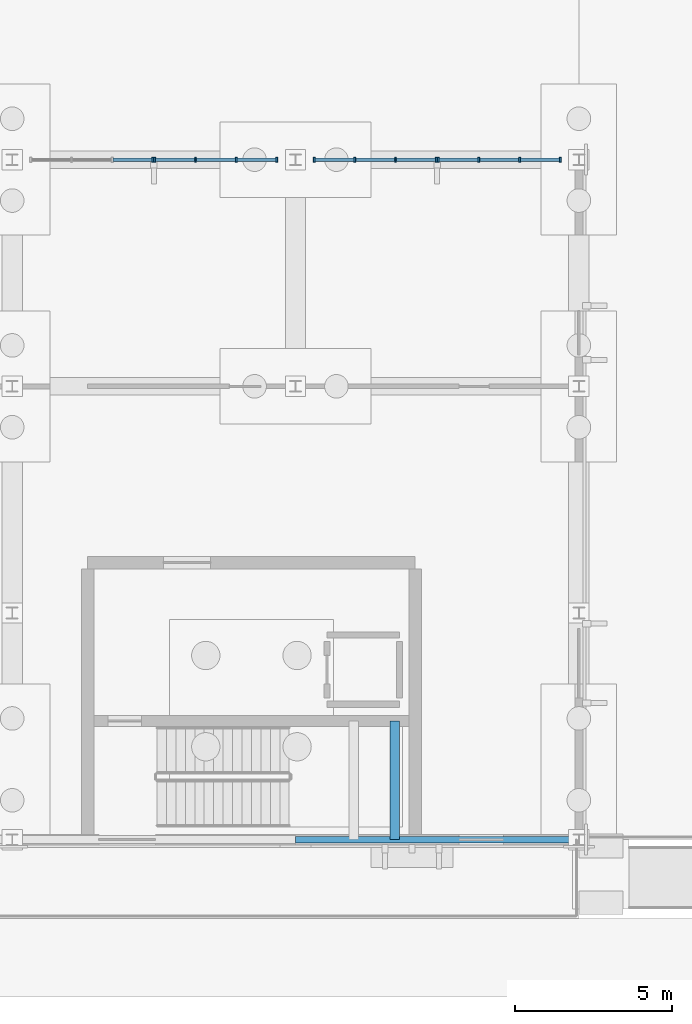
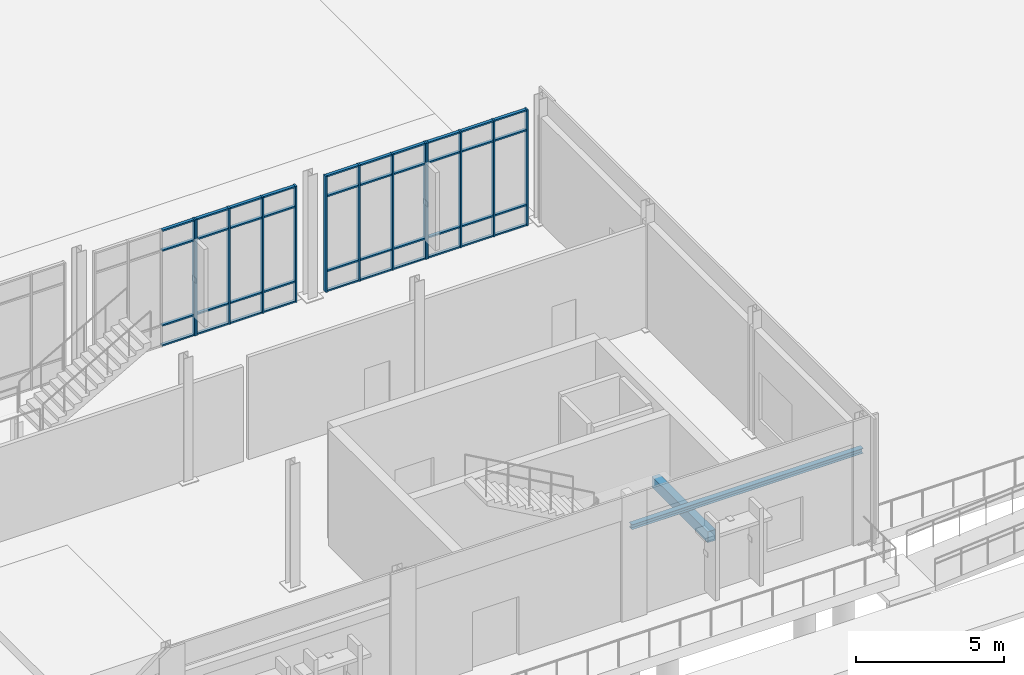
# One storey, part 40 of 94: 53 members, 2 beams, 4 elements without a shape of their own.
"""IFC4 building model written with IfcOpenShell, lengths in metres."""

from ifc_helpers import new_model, si_unit, direction, frame, origin, origin_2d, place, context, subcontext, project, spatial, rectangle, i_section, extrude, material, material_profile, profile_set, type_object, element, aggregate, save


model = new_model("IFC4")

# Units and contexts
model_context = context("Model", 3, precision=1e-05, world=origin(), true_north=direction((0.0, 1.0)))
body_context = subcontext(model_context, "Body", "Model", "MODEL_VIEW")
ifc_project = project(units=[si_unit("LENGTHUNIT", "METRE"), si_unit("AREAUNIT", "SQUARE_METRE"), si_unit("VOLUMEUNIT", "CUBIC_METRE"), si_unit("PLANEANGLEUNIT", "RADIAN"), si_unit("MASSUNIT", "GRAM", prefix="KILO")], contexts=[model_context])

# Site, building, storey
site_placement = place(None, origin())
site = spatial("IfcSite", under=ifc_project, at=site_placement, CompositionType="ELEMENT")
building_placement = place(site_placement, origin())
building = spatial("IfcBuilding", under=site, at=building_placement, Name="Vervanel Yard Central Library", CompositionType="ELEMENT")
storey_placement = place(building_placement, origin())
storey = spatial("IfcBuildingStorey", under=building, at=storey_placement, Name="L00", CompositionType="ELEMENT", Elevation=0.0)

# Curtain wall, member
ifc_material_1 = material(Name="Thermally broken anodized aluminium 6063-T6", Category="aluminium")
curtain_wall_type = type_object("IfcCurtainWallType", Name="Children's Courtyard Curtain Wall", PredefinedType="NOTDEFINED", material=ifc_material_1)
curtain_wall_1_placement = place(storey_placement, origin())
curtain_wall_1 = element("IfcCurtainWall", 1, at=curtain_wall_1_placement, inside=storey, type_object=curtain_wall_type, Name="L00 Children's Courtyard Curtain Wall CWR-L00-162", PredefinedType="NOTDEFINED")
ifc_material_profile_1 = material_profile(ifc_material_1, rectangle(XDim=0.06005859375, YDim=0.159912109375, at=origin_2d()), Name="ALU 60x160", Category="aluminium")
ifc_profile_set_1 = profile_set([ifc_material_profile_1], Name="Thermally broken anodized aluminium 6063-T6")
member_type_1 = type_object("IfcMemberType", Name="Bridge & Courtyard Mullion 60x160", PredefinedType="MULLION", material=ifc_profile_set_1)
member_1_placement = place(storey_placement, frame((94.469970703125, 21.60009765625, 0.0), z_axis=(0.0, 0.0, 1.0), x_axis=(1.0, 0.0, 0.0)))
member_1 = element("IfcMember", 2, at=member_1_placement, type_object=member_type_1, Name="CWR-L00-162 Mullion 4", PredefinedType="MULLION", context=body_context, shape_type="SweptSolid", body=[
    extrude(rectangle(XDim=0.06005859375, YDim=0.159912109375, at=origin_2d()), origin(), (0.0, 0.0, 1.0), 4.780029296875),
])

# Curtain wall, members
curtain_wall_2_placement = place(storey_placement, origin())
curtain_wall_2 = element("IfcCurtainWall", 3, at=curtain_wall_2_placement, inside=storey, type_object=curtain_wall_type, Name="L00 Children's Courtyard Curtain Wall CWR-L00-163", PredefinedType="NOTDEFINED")
member_2_placement = place(storey_placement, frame((94.530029296875, 21.60009765625, 0.0), z_axis=(0.0, 0.0, 1.0), x_axis=(1.0, 0.0, 0.0)))
member_2 = element("IfcMember", 4, at=member_2_placement, type_object=member_type_1, Name="CWR-L00-163 Mullion 1", PredefinedType="MULLION", context=body_context, shape_type="SweptSolid", body=[
    extrude(rectangle(XDim=0.06005859375, YDim=0.159912109375, at=origin_2d()), origin(), (0.0, 0.0, 1.0), 4.780029296875),
])
member_3_placement = place(storey_placement, frame((95.8232421875, 21.60009765625, 0.0), z_axis=(0.0, 0.0, 1.0), x_axis=(1.0, 0.0, 0.0)))
member_3 = element("IfcMember", 5, at=member_3_placement, type_object=member_type_1, Name="CWR-L00-163 Mullion 2", PredefinedType="MULLION", context=body_context, shape_type="SweptSolid", body=[
    extrude(rectangle(XDim=0.06005859375, YDim=0.159912109375, at=origin_2d()), origin(), (0.0, 0.0, 1.0), 4.780029296875),
])
member_4_placement = place(storey_placement, frame((97.11669921875, 21.60009765625, 0.0), z_axis=(0.0, 0.0, 1.0), x_axis=(1.0, 0.0, 0.0)))
member_4 = element("IfcMember", 6, at=member_4_placement, type_object=member_type_1, Name="CWR-L00-163 Mullion 3", PredefinedType="MULLION", context=body_context, shape_type="SweptSolid", body=[
    extrude(rectangle(XDim=0.06005859375, YDim=0.159912109375, at=origin_2d()), origin(), (0.0, 0.0, 1.0), 4.780029296875),
])
member_5_placement = place(storey_placement, frame((98.409912109375, 21.60009765625, 0.0), z_axis=(0.0, 0.0, 1.0), x_axis=(1.0, 0.0, 0.0)))
member_5 = element("IfcMember", 7, at=member_5_placement, type_object=member_type_1, Name="CWR-L00-163 Mullion 4", PredefinedType="MULLION", context=body_context, shape_type="SweptSolid", body=[
    extrude(rectangle(XDim=0.06005859375, YDim=0.159912109375, at=origin_2d()), origin(), (0.0, 0.0, 1.0), 4.780029296875),
])

curtain_wall_3_placement = place(storey_placement, origin())
curtain_wall_3 = element("IfcCurtainWall", 8, at=curtain_wall_3_placement, inside=storey, type_object=curtain_wall_type, Name="L00 Children's Courtyard Curtain Wall CWR-L00-164", PredefinedType="NOTDEFINED")
member_6_placement = place(storey_placement, frame((99.590087890625, 21.60009765625, 0.0), z_axis=(0.0, 0.0, 1.0), x_axis=(1.0, 0.0, 0.0)))
member_6 = element("IfcMember", 9, at=member_6_placement, type_object=member_type_1, Name="CWR-L00-164 Mullion 1", PredefinedType="MULLION", context=body_context, shape_type="SweptSolid", body=[
    extrude(rectangle(XDim=0.06005859375, YDim=0.159912109375, at=origin_2d()), origin(), (0.0, 0.0, 1.0), 4.780029296875),
])
member_7_placement = place(storey_placement, frame((100.88330078125, 21.60009765625, 0.0), z_axis=(0.0, 0.0, 1.0), x_axis=(1.0, 0.0, 0.0)))
member_7 = element("IfcMember", 10, at=member_7_placement, type_object=member_type_1, Name="CWR-L00-164 Mullion 2", PredefinedType="MULLION", context=body_context, shape_type="SweptSolid", body=[
    extrude(rectangle(XDim=0.06005859375, YDim=0.159912109375, at=origin_2d()), origin(), (0.0, 0.0, 1.0), 4.780029296875),
])
member_8_placement = place(storey_placement, frame((102.1767578125, 21.60009765625, 0.0), z_axis=(0.0, 0.0, 1.0), x_axis=(1.0, 0.0, 0.0)))
member_8 = element("IfcMember", 11, at=member_8_placement, type_object=member_type_1, Name="CWR-L00-164 Mullion 3", PredefinedType="MULLION", context=body_context, shape_type="SweptSolid", body=[
    extrude(rectangle(XDim=0.06005859375, YDim=0.159912109375, at=origin_2d()), origin(), (0.0, 0.0, 1.0), 4.780029296875),
])
member_9_placement = place(storey_placement, frame((103.469970703125, 21.60009765625, 0.0), z_axis=(0.0, 0.0, 1.0), x_axis=(1.0, 0.0, 0.0)))
member_9 = element("IfcMember", 12, at=member_9_placement, type_object=member_type_1, Name="CWR-L00-164 Mullion 4", PredefinedType="MULLION", context=body_context, shape_type="SweptSolid", body=[
    extrude(rectangle(XDim=0.06005859375, YDim=0.159912109375, at=origin_2d()), origin(), (0.0, 0.0, 1.0), 4.780029296875),
])

curtain_wall_4_placement = place(storey_placement, origin())
curtain_wall_4 = element("IfcCurtainWall", 13, at=curtain_wall_4_placement, inside=storey, type_object=curtain_wall_type, Name="L00 Children's Courtyard Curtain Wall CWR-L00-165", PredefinedType="NOTDEFINED")
member_10_placement = place(storey_placement, frame((103.530029296875, 21.60009765625, 0.0), z_axis=(0.0, 0.0, 1.0), x_axis=(1.0, 0.0, 0.0)))
member_10 = element("IfcMember", 14, at=member_10_placement, type_object=member_type_1, Name="CWR-L00-165 Mullion 1", PredefinedType="MULLION", context=body_context, shape_type="SweptSolid", body=[
    extrude(rectangle(XDim=0.06005859375, YDim=0.159912109375, at=origin_2d()), origin(), (0.0, 0.0, 1.0), 4.780029296875),
])
member_11_placement = place(storey_placement, frame((104.8232421875, 21.60009765625, 0.0), z_axis=(0.0, 0.0, 1.0), x_axis=(1.0, 0.0, 0.0)))
member_11 = element("IfcMember", 15, at=member_11_placement, type_object=member_type_1, Name="CWR-L00-165 Mullion 2", PredefinedType="MULLION", context=body_context, shape_type="SweptSolid", body=[
    extrude(rectangle(XDim=0.06005859375, YDim=0.159912109375, at=origin_2d()), origin(), (0.0, 0.0, 1.0), 4.780029296875),
])
member_12_placement = place(storey_placement, frame((106.11669921875, 21.60009765625, 0.0), z_axis=(0.0, 0.0, 1.0), x_axis=(1.0, 0.0, 0.0)))
member_12 = element("IfcMember", 16, at=member_12_placement, type_object=member_type_1, Name="CWR-L00-165 Mullion 3", PredefinedType="MULLION", context=body_context, shape_type="SweptSolid", body=[
    extrude(rectangle(XDim=0.06005859375, YDim=0.159912109375, at=origin_2d()), origin(), (0.0, 0.0, 1.0), 4.780029296875),
])
member_13_placement = place(storey_placement, frame((107.409912109375, 21.60009765625, 0.0), z_axis=(0.0, 0.0, 1.0), x_axis=(1.0, 0.0, 0.0)))
member_13 = element("IfcMember", 17, at=member_13_placement, type_object=member_type_1, Name="CWR-L00-165 Mullion 4", PredefinedType="MULLION", context=body_context, shape_type="SweptSolid", body=[
    extrude(rectangle(XDim=0.06005859375, YDim=0.159912109375, at=origin_2d()), origin(), (0.0, 0.0, 1.0), 4.780029296875),
])

# Member
ifc_material_profile_2 = material_profile(ifc_material_1, rectangle(XDim=0.06005859375, YDim=0.1201171875, at=origin_2d()), Name="ALU 60x120", Category="aluminium")
ifc_profile_set_2 = profile_set([ifc_material_profile_2], Name="Thermally broken anodized aluminium 6063-T6")
member_type_2 = type_object("IfcMemberType", Name="Bridge & Courtyard Transom 60x120", PredefinedType="NOTDEFINED", material=ifc_profile_set_2)
member_14_placement = place(storey_placement, frame((93.206787109375, 21.60009765625, 0.030029296875), z_axis=(1.0, 0.0, 0.0), x_axis=(0.0, 0.0, 1.0)))
member_14 = element("IfcMember", 18, at=member_14_placement, type_object=member_type_2, Name="CWR-L00-162 Transom B3-T1", ObjectType="TRANSOM", PredefinedType="USERDEFINED", context=body_context, shape_type="SweptSolid", body=[
    extrude(rectangle(XDim=0.06005859375, YDim=0.1201171875, at=origin_2d()), origin(), (0.0, 0.0, 1.0), 1.233154296875),
])

member_15_placement = place(storey_placement, frame((93.206787109375, 21.60009765625, 0.85009765625), z_axis=(1.0, 0.0, 0.0), x_axis=(0.0, 0.0, 1.0)))
member_15 = element("IfcMember", 19, at=member_15_placement, type_object=member_type_2, Name="CWR-L00-162 Transom B3-T2", ObjectType="TRANSOM", PredefinedType="USERDEFINED", context=body_context, shape_type="SweptSolid", body=[
    extrude(rectangle(XDim=0.06005859375, YDim=0.1201171875, at=origin_2d()), origin(), (0.0, 0.0, 1.0), 1.233154296875),
])

member_16_placement = place(storey_placement, frame((93.206787109375, 21.60009765625, 3.929931640625), z_axis=(1.0, 0.0, 0.0), x_axis=(0.0, 0.0, 1.0)))
member_16 = element("IfcMember", 20, at=member_16_placement, type_object=member_type_2, Name="CWR-L00-162 Transom B3-T3", ObjectType="TRANSOM", PredefinedType="USERDEFINED", context=body_context, shape_type="SweptSolid", body=[
    extrude(rectangle(XDim=0.06005859375, YDim=0.1201171875, at=origin_2d()), origin(), (0.0, 0.0, 1.0), 1.233154296875),
])

member_17_placement = place(storey_placement, frame((93.206787109375, 21.60009765625, 4.75), z_axis=(1.0, 0.0, 0.0), x_axis=(0.0, 0.0, 1.0)))
member_17 = element("IfcMember", 21, at=member_17_placement, type_object=member_type_2, Name="CWR-L00-162 Transom B3-T4", ObjectType="TRANSOM", PredefinedType="USERDEFINED", context=body_context, shape_type="SweptSolid", body=[
    extrude(rectangle(XDim=0.06005859375, YDim=0.1201171875, at=origin_2d()), origin(), (0.0, 0.0, 1.0), 1.233154296875),
])

aggregate(curtain_wall_1, [member_1, member_14, member_15, member_16, member_17])

member_18_placement = place(storey_placement, frame((94.56005859375, 21.60009765625, 0.030029296875), z_axis=(1.0, 0.0, 0.0), x_axis=(0.0, 0.0, 1.0)))
member_18 = element("IfcMember", 22, at=member_18_placement, type_object=member_type_2, Name="CWR-L00-163 Transom B1-T1", ObjectType="TRANSOM", PredefinedType="USERDEFINED", context=body_context, shape_type="SweptSolid", body=[
    extrude(rectangle(XDim=0.06005859375, YDim=0.1201171875, at=origin_2d()), origin(), (0.0, 0.0, 1.0), 1.233154296875),
])

member_19_placement = place(storey_placement, frame((94.56005859375, 21.60009765625, 0.85009765625), z_axis=(1.0, 0.0, 0.0), x_axis=(0.0, 0.0, 1.0)))
member_19 = element("IfcMember", 23, at=member_19_placement, type_object=member_type_2, Name="CWR-L00-163 Transom B1-T2", ObjectType="TRANSOM", PredefinedType="USERDEFINED", context=body_context, shape_type="SweptSolid", body=[
    extrude(rectangle(XDim=0.06005859375, YDim=0.1201171875, at=origin_2d()), origin(), (0.0, 0.0, 1.0), 1.233154296875),
])

member_20_placement = place(storey_placement, frame((94.56005859375, 21.60009765625, 3.929931640625), z_axis=(1.0, 0.0, 0.0), x_axis=(0.0, 0.0, 1.0)))
member_20 = element("IfcMember", 24, at=member_20_placement, type_object=member_type_2, Name="CWR-L00-163 Transom B1-T3", ObjectType="TRANSOM", PredefinedType="USERDEFINED", context=body_context, shape_type="SweptSolid", body=[
    extrude(rectangle(XDim=0.06005859375, YDim=0.1201171875, at=origin_2d()), origin(), (0.0, 0.0, 1.0), 1.233154296875),
])

member_21_placement = place(storey_placement, frame((94.56005859375, 21.60009765625, 4.75), z_axis=(1.0, 0.0, 0.0), x_axis=(0.0, 0.0, 1.0)))
member_21 = element("IfcMember", 25, at=member_21_placement, type_object=member_type_2, Name="CWR-L00-163 Transom B1-T4", ObjectType="TRANSOM", PredefinedType="USERDEFINED", context=body_context, shape_type="SweptSolid", body=[
    extrude(rectangle(XDim=0.06005859375, YDim=0.1201171875, at=origin_2d()), origin(), (0.0, 0.0, 1.0), 1.233154296875),
])

member_22_placement = place(storey_placement, frame((95.853271484375, 21.60009765625, 0.030029296875), z_axis=(1.0, 0.0, 0.0), x_axis=(0.0, 0.0, 1.0)))
member_22 = element("IfcMember", 26, at=member_22_placement, type_object=member_type_2, Name="CWR-L00-163 Transom B2-T1", ObjectType="TRANSOM", PredefinedType="USERDEFINED", context=body_context, shape_type="SweptSolid", body=[
    extrude(rectangle(XDim=0.06005859375, YDim=0.1201171875, at=origin_2d()), origin(), (0.0, 0.0, 1.0), 1.2333984375),
])

member_23_placement = place(storey_placement, frame((95.853271484375, 21.60009765625, 0.85009765625), z_axis=(1.0, 0.0, 0.0), x_axis=(0.0, 0.0, 1.0)))
member_23 = element("IfcMember", 27, at=member_23_placement, type_object=member_type_2, Name="CWR-L00-163 Transom B2-T2", ObjectType="TRANSOM", PredefinedType="USERDEFINED", context=body_context, shape_type="SweptSolid", body=[
    extrude(rectangle(XDim=0.06005859375, YDim=0.1201171875, at=origin_2d()), origin(), (0.0, 0.0, 1.0), 1.2333984375),
])

member_24_placement = place(storey_placement, frame((95.853271484375, 21.60009765625, 3.929931640625), z_axis=(1.0, 0.0, 0.0), x_axis=(0.0, 0.0, 1.0)))
member_24 = element("IfcMember", 28, at=member_24_placement, type_object=member_type_2, Name="CWR-L00-163 Transom B2-T3", ObjectType="TRANSOM", PredefinedType="USERDEFINED", context=body_context, shape_type="SweptSolid", body=[
    extrude(rectangle(XDim=0.06005859375, YDim=0.1201171875, at=origin_2d()), origin(), (0.0, 0.0, 1.0), 1.2333984375),
])

member_25_placement = place(storey_placement, frame((95.853271484375, 21.60009765625, 4.75), z_axis=(1.0, 0.0, 0.0), x_axis=(0.0, 0.0, 1.0)))
member_25 = element("IfcMember", 29, at=member_25_placement, type_object=member_type_2, Name="CWR-L00-163 Transom B2-T4", ObjectType="TRANSOM", PredefinedType="USERDEFINED", context=body_context, shape_type="SweptSolid", body=[
    extrude(rectangle(XDim=0.06005859375, YDim=0.1201171875, at=origin_2d()), origin(), (0.0, 0.0, 1.0), 1.2333984375),
])

member_26_placement = place(storey_placement, frame((97.146728515625, 21.60009765625, 0.030029296875), z_axis=(1.0, 0.0, 0.0), x_axis=(0.0, 0.0, 1.0)))
member_26 = element("IfcMember", 30, at=member_26_placement, type_object=member_type_2, Name="CWR-L00-163 Transom B3-T1", ObjectType="TRANSOM", PredefinedType="USERDEFINED", context=body_context, shape_type="SweptSolid", body=[
    extrude(rectangle(XDim=0.06005859375, YDim=0.1201171875, at=origin_2d()), origin(), (0.0, 0.0, 1.0), 1.233154296875),
])

member_27_placement = place(storey_placement, frame((97.146728515625, 21.60009765625, 0.85009765625), z_axis=(1.0, 0.0, 0.0), x_axis=(0.0, 0.0, 1.0)))
member_27 = element("IfcMember", 31, at=member_27_placement, type_object=member_type_2, Name="CWR-L00-163 Transom B3-T2", ObjectType="TRANSOM", PredefinedType="USERDEFINED", context=body_context, shape_type="SweptSolid", body=[
    extrude(rectangle(XDim=0.06005859375, YDim=0.1201171875, at=origin_2d()), origin(), (0.0, 0.0, 1.0), 1.233154296875),
])

member_28_placement = place(storey_placement, frame((97.146728515625, 21.60009765625, 3.929931640625), z_axis=(1.0, 0.0, 0.0), x_axis=(0.0, 0.0, 1.0)))
member_28 = element("IfcMember", 32, at=member_28_placement, type_object=member_type_2, Name="CWR-L00-163 Transom B3-T3", ObjectType="TRANSOM", PredefinedType="USERDEFINED", context=body_context, shape_type="SweptSolid", body=[
    extrude(rectangle(XDim=0.06005859375, YDim=0.1201171875, at=origin_2d()), origin(), (0.0, 0.0, 1.0), 1.233154296875),
])

member_29_placement = place(storey_placement, frame((97.146728515625, 21.60009765625, 4.75), z_axis=(1.0, 0.0, 0.0), x_axis=(0.0, 0.0, 1.0)))
member_29 = element("IfcMember", 33, at=member_29_placement, type_object=member_type_2, Name="CWR-L00-163 Transom B3-T4", ObjectType="TRANSOM", PredefinedType="USERDEFINED", context=body_context, shape_type="SweptSolid", body=[
    extrude(rectangle(XDim=0.06005859375, YDim=0.1201171875, at=origin_2d()), origin(), (0.0, 0.0, 1.0), 1.233154296875),
])

aggregate(curtain_wall_2, [member_2, member_3, member_4, member_5, member_18, member_19, member_20, member_21, member_22, member_23, member_24, member_25, member_26, member_27, member_28, member_29])

member_30_placement = place(storey_placement, frame((99.6201171875, 21.60009765625, 0.030029296875), z_axis=(1.0, 0.0, 0.0), x_axis=(0.0, 0.0, 1.0)))
member_30 = element("IfcMember", 34, at=member_30_placement, type_object=member_type_2, Name="CWR-L00-164 Transom B1-T1", ObjectType="TRANSOM", PredefinedType="USERDEFINED", context=body_context, shape_type="SweptSolid", body=[
    extrude(rectangle(XDim=0.06005859375, YDim=0.1201171875, at=origin_2d()), origin(), (0.0, 0.0, 1.0), 1.233154296875),
])

member_31_placement = place(storey_placement, frame((99.6201171875, 21.60009765625, 0.85009765625), z_axis=(1.0, 0.0, 0.0), x_axis=(0.0, 0.0, 1.0)))
member_31 = element("IfcMember", 35, at=member_31_placement, type_object=member_type_2, Name="CWR-L00-164 Transom B1-T2", ObjectType="TRANSOM", PredefinedType="USERDEFINED", context=body_context, shape_type="SweptSolid", body=[
    extrude(rectangle(XDim=0.06005859375, YDim=0.1201171875, at=origin_2d()), origin(), (0.0, 0.0, 1.0), 1.233154296875),
])

member_32_placement = place(storey_placement, frame((99.6201171875, 21.60009765625, 3.929931640625), z_axis=(1.0, 0.0, 0.0), x_axis=(0.0, 0.0, 1.0)))
member_32 = element("IfcMember", 36, at=member_32_placement, type_object=member_type_2, Name="CWR-L00-164 Transom B1-T3", ObjectType="TRANSOM", PredefinedType="USERDEFINED", context=body_context, shape_type="SweptSolid", body=[
    extrude(rectangle(XDim=0.06005859375, YDim=0.1201171875, at=origin_2d()), origin(), (0.0, 0.0, 1.0), 1.233154296875),
])

member_33_placement = place(storey_placement, frame((99.6201171875, 21.60009765625, 4.75), z_axis=(1.0, 0.0, 0.0), x_axis=(0.0, 0.0, 1.0)))
member_33 = element("IfcMember", 37, at=member_33_placement, type_object=member_type_2, Name="CWR-L00-164 Transom B1-T4", ObjectType="TRANSOM", PredefinedType="USERDEFINED", context=body_context, shape_type="SweptSolid", body=[
    extrude(rectangle(XDim=0.06005859375, YDim=0.1201171875, at=origin_2d()), origin(), (0.0, 0.0, 1.0), 1.233154296875),
])

member_34_placement = place(storey_placement, frame((100.913330078125, 21.60009765625, 0.030029296875), z_axis=(1.0, 0.0, 0.0), x_axis=(0.0, 0.0, 1.0)))
member_34 = element("IfcMember", 38, at=member_34_placement, type_object=member_type_2, Name="CWR-L00-164 Transom B2-T1", ObjectType="TRANSOM", PredefinedType="USERDEFINED", context=body_context, shape_type="SweptSolid", body=[
    extrude(rectangle(XDim=0.06005859375, YDim=0.1201171875, at=origin_2d()), origin(), (0.0, 0.0, 1.0), 1.2333984375),
])

member_35_placement = place(storey_placement, frame((100.913330078125, 21.60009765625, 0.85009765625), z_axis=(1.0, 0.0, 0.0), x_axis=(0.0, 0.0, 1.0)))
member_35 = element("IfcMember", 39, at=member_35_placement, type_object=member_type_2, Name="CWR-L00-164 Transom B2-T2", ObjectType="TRANSOM", PredefinedType="USERDEFINED", context=body_context, shape_type="SweptSolid", body=[
    extrude(rectangle(XDim=0.06005859375, YDim=0.1201171875, at=origin_2d()), origin(), (0.0, 0.0, 1.0), 1.2333984375),
])

member_36_placement = place(storey_placement, frame((100.913330078125, 21.60009765625, 3.929931640625), z_axis=(1.0, 0.0, 0.0), x_axis=(0.0, 0.0, 1.0)))
member_36 = element("IfcMember", 40, at=member_36_placement, type_object=member_type_2, Name="CWR-L00-164 Transom B2-T3", ObjectType="TRANSOM", PredefinedType="USERDEFINED", context=body_context, shape_type="SweptSolid", body=[
    extrude(rectangle(XDim=0.06005859375, YDim=0.1201171875, at=origin_2d()), origin(), (0.0, 0.0, 1.0), 1.2333984375),
])

member_37_placement = place(storey_placement, frame((100.913330078125, 21.60009765625, 4.75), z_axis=(1.0, 0.0, 0.0), x_axis=(0.0, 0.0, 1.0)))
member_37 = element("IfcMember", 41, at=member_37_placement, type_object=member_type_2, Name="CWR-L00-164 Transom B2-T4", ObjectType="TRANSOM", PredefinedType="USERDEFINED", context=body_context, shape_type="SweptSolid", body=[
    extrude(rectangle(XDim=0.06005859375, YDim=0.1201171875, at=origin_2d()), origin(), (0.0, 0.0, 1.0), 1.2333984375),
])

member_38_placement = place(storey_placement, frame((102.206787109375, 21.60009765625, 0.030029296875), z_axis=(1.0, 0.0, 0.0), x_axis=(0.0, 0.0, 1.0)))
member_38 = element("IfcMember", 42, at=member_38_placement, type_object=member_type_2, Name="CWR-L00-164 Transom B3-T1", ObjectType="TRANSOM", PredefinedType="USERDEFINED", context=body_context, shape_type="SweptSolid", body=[
    extrude(rectangle(XDim=0.06005859375, YDim=0.1201171875, at=origin_2d()), origin(), (0.0, 0.0, 1.0), 1.233154296875),
])

member_39_placement = place(storey_placement, frame((102.206787109375, 21.60009765625, 0.85009765625), z_axis=(1.0, 0.0, 0.0), x_axis=(0.0, 0.0, 1.0)))
member_39 = element("IfcMember", 43, at=member_39_placement, type_object=member_type_2, Name="CWR-L00-164 Transom B3-T2", ObjectType="TRANSOM", PredefinedType="USERDEFINED", context=body_context, shape_type="SweptSolid", body=[
    extrude(rectangle(XDim=0.06005859375, YDim=0.1201171875, at=origin_2d()), origin(), (0.0, 0.0, 1.0), 1.233154296875),
])

member_40_placement = place(storey_placement, frame((102.206787109375, 21.60009765625, 3.929931640625), z_axis=(1.0, 0.0, 0.0), x_axis=(0.0, 0.0, 1.0)))
member_40 = element("IfcMember", 44, at=member_40_placement, type_object=member_type_2, Name="CWR-L00-164 Transom B3-T3", ObjectType="TRANSOM", PredefinedType="USERDEFINED", context=body_context, shape_type="SweptSolid", body=[
    extrude(rectangle(XDim=0.06005859375, YDim=0.1201171875, at=origin_2d()), origin(), (0.0, 0.0, 1.0), 1.233154296875),
])

member_41_placement = place(storey_placement, frame((102.206787109375, 21.60009765625, 4.75), z_axis=(1.0, 0.0, 0.0), x_axis=(0.0, 0.0, 1.0)))
member_41 = element("IfcMember", 45, at=member_41_placement, type_object=member_type_2, Name="CWR-L00-164 Transom B3-T4", ObjectType="TRANSOM", PredefinedType="USERDEFINED", context=body_context, shape_type="SweptSolid", body=[
    extrude(rectangle(XDim=0.06005859375, YDim=0.1201171875, at=origin_2d()), origin(), (0.0, 0.0, 1.0), 1.233154296875),
])

aggregate(curtain_wall_3, [member_6, member_7, member_8, member_9, member_30, member_31, member_32, member_33, member_34, member_35, member_36, member_37, member_38, member_39, member_40, member_41])

member_42_placement = place(storey_placement, frame((103.56005859375, 21.60009765625, 0.030029296875), z_axis=(1.0, 0.0, 0.0), x_axis=(0.0, 0.0, 1.0)))
member_42 = element("IfcMember", 46, at=member_42_placement, type_object=member_type_2, Name="CWR-L00-165 Transom B1-T1", ObjectType="TRANSOM", PredefinedType="USERDEFINED", context=body_context, shape_type="SweptSolid", body=[
    extrude(rectangle(XDim=0.06005859375, YDim=0.1201171875, at=origin_2d()), origin(), (0.0, 0.0, 1.0), 1.233154296875),
])

member_43_placement = place(storey_placement, frame((103.56005859375, 21.60009765625, 0.85009765625), z_axis=(1.0, 0.0, 0.0), x_axis=(0.0, 0.0, 1.0)))
member_43 = element("IfcMember", 47, at=member_43_placement, type_object=member_type_2, Name="CWR-L00-165 Transom B1-T2", ObjectType="TRANSOM", PredefinedType="USERDEFINED", context=body_context, shape_type="SweptSolid", body=[
    extrude(rectangle(XDim=0.06005859375, YDim=0.1201171875, at=origin_2d()), origin(), (0.0, 0.0, 1.0), 1.233154296875),
])

member_44_placement = place(storey_placement, frame((103.56005859375, 21.60009765625, 3.929931640625), z_axis=(1.0, 0.0, 0.0), x_axis=(0.0, 0.0, 1.0)))
member_44 = element("IfcMember", 48, at=member_44_placement, type_object=member_type_2, Name="CWR-L00-165 Transom B1-T3", ObjectType="TRANSOM", PredefinedType="USERDEFINED", context=body_context, shape_type="SweptSolid", body=[
    extrude(rectangle(XDim=0.06005859375, YDim=0.1201171875, at=origin_2d()), origin(), (0.0, 0.0, 1.0), 1.233154296875),
])

member_45_placement = place(storey_placement, frame((103.56005859375, 21.60009765625, 4.75), z_axis=(1.0, 0.0, 0.0), x_axis=(0.0, 0.0, 1.0)))
member_45 = element("IfcMember", 49, at=member_45_placement, type_object=member_type_2, Name="CWR-L00-165 Transom B1-T4", ObjectType="TRANSOM", PredefinedType="USERDEFINED", context=body_context, shape_type="SweptSolid", body=[
    extrude(rectangle(XDim=0.06005859375, YDim=0.1201171875, at=origin_2d()), origin(), (0.0, 0.0, 1.0), 1.233154296875),
])

member_46_placement = place(storey_placement, frame((104.853271484375, 21.60009765625, 0.030029296875), z_axis=(1.0, 0.0, 0.0), x_axis=(0.0, 0.0, 1.0)))
member_46 = element("IfcMember", 50, at=member_46_placement, type_object=member_type_2, Name="CWR-L00-165 Transom B2-T1", ObjectType="TRANSOM", PredefinedType="USERDEFINED", context=body_context, shape_type="SweptSolid", body=[
    extrude(rectangle(XDim=0.06005859375, YDim=0.1201171875, at=origin_2d()), origin(), (0.0, 0.0, 1.0), 1.2333984375),
])

member_47_placement = place(storey_placement, frame((104.853271484375, 21.60009765625, 0.85009765625), z_axis=(1.0, 0.0, 0.0), x_axis=(0.0, 0.0, 1.0)))
member_47 = element("IfcMember", 51, at=member_47_placement, type_object=member_type_2, Name="CWR-L00-165 Transom B2-T2", ObjectType="TRANSOM", PredefinedType="USERDEFINED", context=body_context, shape_type="SweptSolid", body=[
    extrude(rectangle(XDim=0.06005859375, YDim=0.1201171875, at=origin_2d()), origin(), (0.0, 0.0, 1.0), 1.2333984375),
])

member_48_placement = place(storey_placement, frame((104.853271484375, 21.60009765625, 3.929931640625), z_axis=(1.0, 0.0, 0.0), x_axis=(0.0, 0.0, 1.0)))
member_48 = element("IfcMember", 52, at=member_48_placement, type_object=member_type_2, Name="CWR-L00-165 Transom B2-T3", ObjectType="TRANSOM", PredefinedType="USERDEFINED", context=body_context, shape_type="SweptSolid", body=[
    extrude(rectangle(XDim=0.06005859375, YDim=0.1201171875, at=origin_2d()), origin(), (0.0, 0.0, 1.0), 1.2333984375),
])

member_49_placement = place(storey_placement, frame((104.853271484375, 21.60009765625, 4.75), z_axis=(1.0, 0.0, 0.0), x_axis=(0.0, 0.0, 1.0)))
member_49 = element("IfcMember", 53, at=member_49_placement, type_object=member_type_2, Name="CWR-L00-165 Transom B2-T4", ObjectType="TRANSOM", PredefinedType="USERDEFINED", context=body_context, shape_type="SweptSolid", body=[
    extrude(rectangle(XDim=0.06005859375, YDim=0.1201171875, at=origin_2d()), origin(), (0.0, 0.0, 1.0), 1.2333984375),
])

member_50_placement = place(storey_placement, frame((106.146728515625, 21.60009765625, 0.030029296875), z_axis=(1.0, 0.0, 0.0), x_axis=(0.0, 0.0, 1.0)))
member_50 = element("IfcMember", 54, at=member_50_placement, type_object=member_type_2, Name="CWR-L00-165 Transom B3-T1", ObjectType="TRANSOM", PredefinedType="USERDEFINED", context=body_context, shape_type="SweptSolid", body=[
    extrude(rectangle(XDim=0.06005859375, YDim=0.1201171875, at=origin_2d()), origin(), (0.0, 0.0, 1.0), 1.233154296875),
])

member_51_placement = place(storey_placement, frame((106.146728515625, 21.60009765625, 0.85009765625), z_axis=(1.0, 0.0, 0.0), x_axis=(0.0, 0.0, 1.0)))
member_51 = element("IfcMember", 55, at=member_51_placement, type_object=member_type_2, Name="CWR-L00-165 Transom B3-T2", ObjectType="TRANSOM", PredefinedType="USERDEFINED", context=body_context, shape_type="SweptSolid", body=[
    extrude(rectangle(XDim=0.06005859375, YDim=0.1201171875, at=origin_2d()), origin(), (0.0, 0.0, 1.0), 1.233154296875),
])

member_52_placement = place(storey_placement, frame((106.146728515625, 21.60009765625, 3.929931640625), z_axis=(1.0, 0.0, 0.0), x_axis=(0.0, 0.0, 1.0)))
member_52 = element("IfcMember", 56, at=member_52_placement, type_object=member_type_2, Name="CWR-L00-165 Transom B3-T3", ObjectType="TRANSOM", PredefinedType="USERDEFINED", context=body_context, shape_type="SweptSolid", body=[
    extrude(rectangle(XDim=0.06005859375, YDim=0.1201171875, at=origin_2d()), origin(), (0.0, 0.0, 1.0), 1.233154296875),
])

member_53_placement = place(storey_placement, frame((106.146728515625, 21.60009765625, 4.75), z_axis=(1.0, 0.0, 0.0), x_axis=(0.0, 0.0, 1.0)))
member_53 = element("IfcMember", 57, at=member_53_placement, type_object=member_type_2, Name="CWR-L00-165 Transom B3-T4", ObjectType="TRANSOM", PredefinedType="USERDEFINED", context=body_context, shape_type="SweptSolid", body=[
    extrude(rectangle(XDim=0.06005859375, YDim=0.1201171875, at=origin_2d()), origin(), (0.0, 0.0, 1.0), 1.233154296875),
])

aggregate(curtain_wall_4, [member_10, member_11, member_12, member_13, member_42, member_43, member_44, member_45, member_46, member_47, member_48, member_49, member_50, member_51, member_52, member_53])

# Beams
ifc_material_2 = material(Name="Concrete C40/50", Category="concrete")
ifc_material_profile_3 = material_profile(ifc_material_2, rectangle(XDim=0.300048828125, YDim=0.449951171875, at=origin_2d()), Name="RC 300x450", Category="concrete")
ifc_profile_set_3 = profile_set([ifc_material_profile_3], Name="Concrete C40/50")
beam_type_1 = type_object("IfcBeamType", Name="Concrete Opening Lintel 300x450", PredefinedType="LINTEL", material=ifc_profile_set_3)
beam_1_placement = place(storey_placement, frame((102.14990234375, 0.0, 2.125), z_axis=(0.0, 1.0, 0.0), x_axis=(-1.0, 0.0, 0.0)))
element("IfcBeam", 58, at=beam_1_placement, inside=storey, type_object=beam_type_1, Name="L00 CORE-F Stair Landing Beam 42", PredefinedType="LINTEL", context=body_context, shape_type="SweptSolid", body=[
    extrude(rectangle(XDim=0.300048828125, YDim=0.449951171875, at=origin_2d()), origin(), (0.0, 0.0, 1.0), 3.77490234375),
])
ifc_material_3 = material(Name="Steel ASTM A992 Grade 50", Category="steel")
ifc_material_profile_4 = material_profile(ifc_material_3, i_section(OverallWidth=0.203125, OverallDepth=0.203125, WebThickness=0.00732421875, FlangeThickness=0.010986328125, at=origin_2d()), Name="W8X31", Category="steel")
ifc_profile_set_4 = profile_set([ifc_material_profile_4], Name="Steel ASTM A992 Grade 50")
beam_type_2 = type_object("IfcBeamType", Name="Steel Opening Lintel W8X31", PredefinedType="LINTEL", material=ifc_profile_set_4)
beam_2_placement = place(storey_placement, frame((99.0, 0.0, 3.64990234375), z_axis=(1.0, 0.0, 0.0), x_axis=(0.0, 1.0, 0.0)))
element("IfcBeam", 59, at=beam_2_placement, inside=storey, type_object=beam_type_2, Name="L00 Portal Opening Lintel 17", PredefinedType="LINTEL", context=body_context, shape_type="SweptSolid", body=[
    extrude(i_section(OverallWidth=0.203125, OverallDepth=0.203125, WebThickness=0.00732421875, FlangeThickness=0.010986328125, at=origin_2d()), origin(), (0.0, 0.0, 1.0), 9.0),
])

save(model, "model.ifc")
